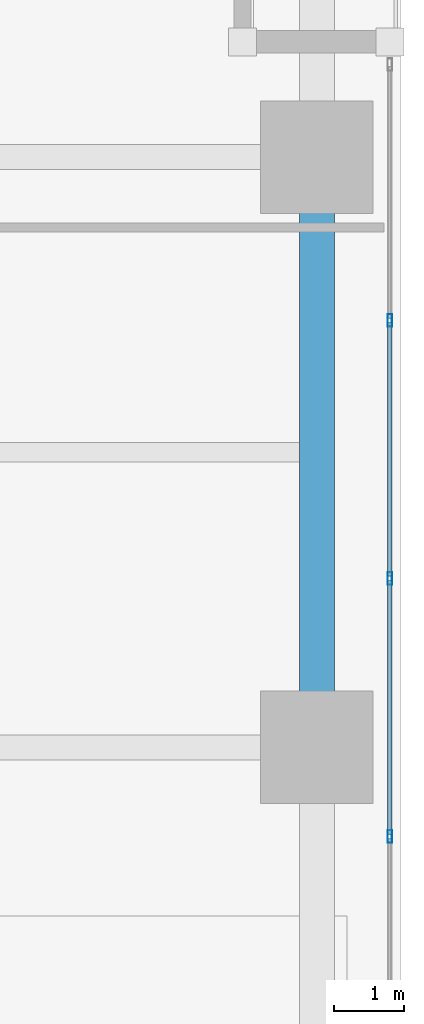
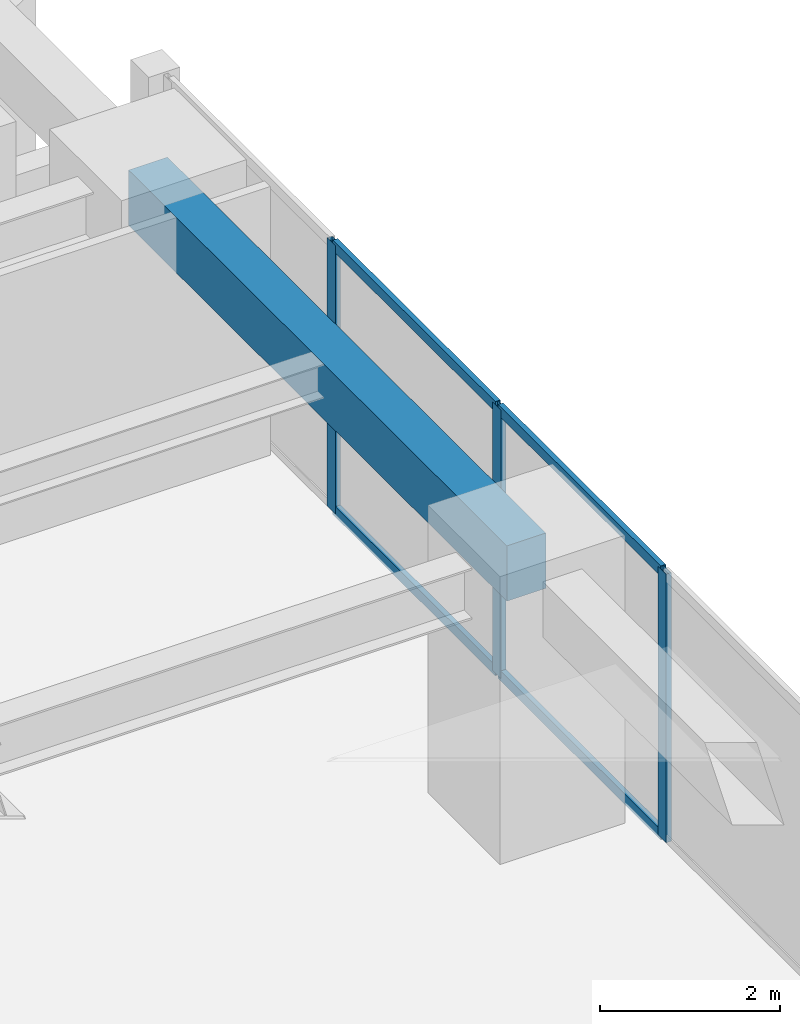
# One storey, part 8 of 29: 7 members, 1 beam, 1 element without a shape of its own.
"""IFC4 building model written with IfcOpenShell, lengths in metres."""

from ifc_helpers import new_model, si_unit, direction, frame, origin, origin_2d, place, context, subcontext, project, spatial, rectangle, hollow_rectangle, extrude, material, layer, layer_set, material_profile, profile_set, type_object, element, aggregate, save


model = new_model("IFC4")

# Units and contexts
model_context = context("Model", 3, precision=1e-05, world=origin(), true_north=direction((0.0, 1.0)))
body_context = subcontext(model_context, "Body", "Model", "MODEL_VIEW")
ifc_project = project(units=[si_unit("LENGTHUNIT", "METRE"), si_unit("AREAUNIT", "SQUARE_METRE"), si_unit("VOLUMEUNIT", "CUBIC_METRE"), si_unit("PLANEANGLEUNIT", "RADIAN"), si_unit("MASSUNIT", "GRAM", prefix="KILO")], contexts=[model_context])

# Site, building, storey
site_placement = place(None, origin())
site = spatial("IfcSite", under=ifc_project, at=site_placement, CompositionType="ELEMENT")
building_placement = place(site_placement, origin())
building = spatial("IfcBuilding", under=site, at=building_placement, Name="Kiyonajd Concourse Tower", CompositionType="ELEMENT")
storey_placement = place(building_placement, frame((0.0, 0.0, 29.39990234375)))
storey = spatial("IfcBuildingStorey", under=building, at=storey_placement, Name="L08", CompositionType="ELEMENT", Elevation=29.39990234375)

# Beam
ifc_material_1 = material(Name="Precast concrete C50/60", Category="concrete")
ifc_material_profile_1 = material_profile(ifc_material_1, rectangle(XDim=0.5, YDim=0.75, at=origin_2d()), Name="RCBM-500x750")
ifc_profile_set_1 = profile_set([ifc_material_profile_1], Name="Precast concrete C50/60")
beam_type = type_object("IfcBeamType", Name="BM-SPAN-RC", PredefinedType="SPANDREL", material=ifc_profile_set_1)
beam_placement = place(storey_placement, frame((78.0, 27.60009765625, 3.26513671875), z_axis=(0.0, 1.0, 0.0), x_axis=(-1.0, 0.0, 0.0)))
element("IfcBeam", 1, at=beam_placement, inside=storey, type_object=beam_type, Name="L08 Perimeter Bundled Tube Spandrel", PredefinedType="SPANDREL", context=body_context, shape_type="SweptSolid", body=[
    extrude(rectangle(XDim=0.5, YDim=0.75, at=origin_2d()), origin(), (0.0, 0.0, 1.0), 8.39990234375),
])

# Curtain wall, members
ifc_material_2 = material(Name="Thermally Broken Anodised Aluminium", Category="aluminium")
ifc_layer = layer(ifc_material_2, 0.179931640625)
ifc_layer_set = layer_set([ifc_layer], Name="Thermally Broken Anodised Aluminium")
curtain_wall_type = type_object("IfcCurtainWallType", Name="CW-SYS-02", PredefinedType="NOTDEFINED", material=ifc_layer_set)
curtain_wall_placement = place(storey_placement, origin())
curtain_wall = element("IfcCurtainWall", 2, at=curtain_wall_placement, inside=storey, type_object=curtain_wall_type, Name="L08 Unitised Curtain Wall CW2", PredefinedType="NOTDEFINED")
ifc_material_profile_2 = material_profile(ifc_material_2, hollow_rectangle(XDim=0.06494140625, YDim=0.179931640625, WallThickness=0.00390625, at=origin_2d()), Name="MULL-65x180")
ifc_profile_set_2 = profile_set([ifc_material_profile_2], Name="Thermally Broken Anodised Aluminium")
member_type_1 = type_object("IfcMemberType", Name="MB-CW-MULL1", PredefinedType="MULLION", material=ifc_profile_set_2)
member_1_placement = place(storey_placement, frame((79.0400390625, 33.6767578125, 0.0), z_axis=(0.0, 0.0, 1.0), x_axis=(1.0, 0.0, 0.0)))
member_1 = element("IfcMember", 3, at=member_1_placement, type_object=member_type_1, Name="CW2 mullion 2", PredefinedType="MULLION", context=body_context, shape_type="SweptSolid", body=[
    extrude(hollow_rectangle(XDim=0.06494140625, YDim=0.179931640625, WallThickness=0.00390625, at=origin_2d()), origin(), (0.0, 0.0, 1.0), 3.64013671875),
])
member_2_placement = place(storey_placement, frame((79.0400390625, 30.003662109375, 0.0), z_axis=(0.0, 0.0, 1.0), x_axis=(1.0, 0.0, 0.0)))
member_2 = element("IfcMember", 4, at=member_2_placement, type_object=member_type_1, Name="CW2 mullion 3", PredefinedType="MULLION", context=body_context, shape_type="SweptSolid", body=[
    extrude(hollow_rectangle(XDim=0.06494140625, YDim=0.179931640625, WallThickness=0.00390625, at=origin_2d()), origin(), (0.0, 0.0, 1.0), 3.64013671875),
])
member_3_placement = place(storey_placement, frame((79.0400390625, 26.33056640625, 0.0), z_axis=(0.0, 0.0, 1.0), x_axis=(1.0, 0.0, 0.0)))
member_3 = element("IfcMember", 5, at=member_3_placement, type_object=member_type_1, Name="CW2 mullion 4", PredefinedType="MULLION", context=body_context, shape_type="SweptSolid", body=[
    extrude(hollow_rectangle(XDim=0.06494140625, YDim=0.179931640625, WallThickness=0.00390625, at=origin_2d()), origin(), (0.0, 0.0, 1.0), 3.64013671875),
])
ifc_material_profile_3 = material_profile(ifc_material_2, hollow_rectangle(XDim=0.06494140625, YDim=0.139892578125, WallThickness=0.00390625, at=origin_2d()), Name="TRAN-65x140")
ifc_profile_set_3 = profile_set([ifc_material_profile_3], Name="Thermally Broken Anodised Aluminium")
member_type_2 = type_object("IfcMemberType", Name="MB-CW-TRAN1", PredefinedType="USERDEFINED", material=ifc_profile_set_3)
member_4_placement = place(storey_placement, frame((79.0400390625, 33.644287109375, 0.03271484375), z_axis=(0.0, -1.0, 0.0), x_axis=(1.0, 0.0, 0.0)))
member_4 = element("IfcMember", 6, at=member_4_placement, type_object=member_type_2, Name="CW2 transom 2.1", ObjectType="TRANSOM", PredefinedType="USERDEFINED", context=body_context, shape_type="SweptSolid", body=[
    extrude(hollow_rectangle(XDim=0.06494140625, YDim=0.139892578125, WallThickness=0.00390625, at=origin_2d()), origin(), (0.0, 0.0, 1.0), 3.608154296875),
])
member_5_placement = place(storey_placement, frame((79.0400390625, 33.644287109375, 3.607666015625), z_axis=(0.0, -1.0, 0.0), x_axis=(1.0, 0.0, 0.0)))
member_5 = element("IfcMember", 7, at=member_5_placement, type_object=member_type_2, Name="CW2 transom 2.2", ObjectType="TRANSOM", PredefinedType="USERDEFINED", context=body_context, shape_type="SweptSolid", body=[
    extrude(hollow_rectangle(XDim=0.06494140625, YDim=0.139892578125, WallThickness=0.00390625, at=origin_2d()), origin(), (0.0, 0.0, 1.0), 3.608154296875),
])
member_6_placement = place(storey_placement, frame((79.0400390625, 29.97119140625, 0.03271484375), z_axis=(0.0, -1.0, 0.0), x_axis=(1.0, 0.0, 0.0)))
member_6 = element("IfcMember", 8, at=member_6_placement, type_object=member_type_2, Name="CW2 transom 3.1", ObjectType="TRANSOM", PredefinedType="USERDEFINED", context=body_context, shape_type="SweptSolid", body=[
    extrude(hollow_rectangle(XDim=0.06494140625, YDim=0.139892578125, WallThickness=0.00390625, at=origin_2d()), origin(), (0.0, 0.0, 1.0), 3.608154296875),
])
member_7_placement = place(storey_placement, frame((79.0400390625, 29.97119140625, 3.607666015625), z_axis=(0.0, -1.0, 0.0), x_axis=(1.0, 0.0, 0.0)))
member_7 = element("IfcMember", 9, at=member_7_placement, type_object=member_type_2, Name="CW2 transom 3.2", ObjectType="TRANSOM", PredefinedType="USERDEFINED", context=body_context, shape_type="SweptSolid", body=[
    extrude(hollow_rectangle(XDim=0.06494140625, YDim=0.139892578125, WallThickness=0.00390625, at=origin_2d()), origin(), (0.0, 0.0, 1.0), 3.608154296875),
])
aggregate(curtain_wall, [member_1, member_2, member_3, member_4, member_5, member_6, member_7])

save(model, "model.ifc")
